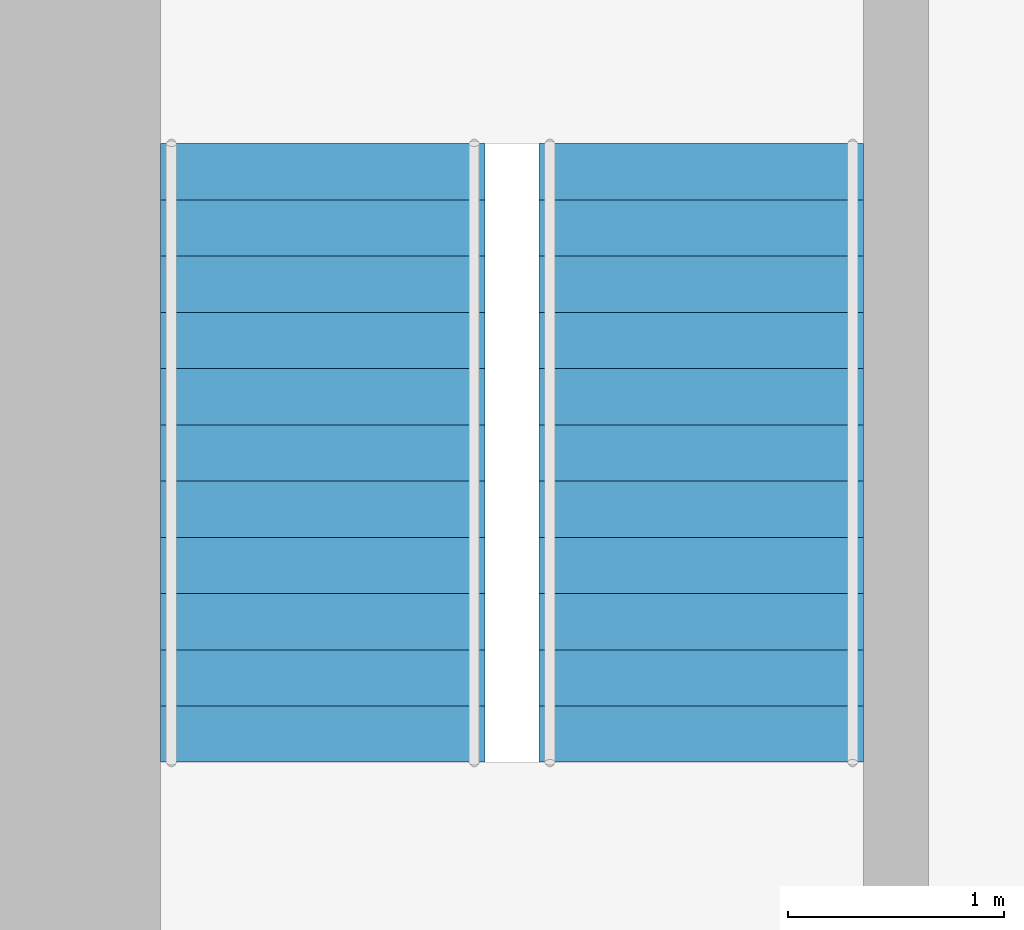
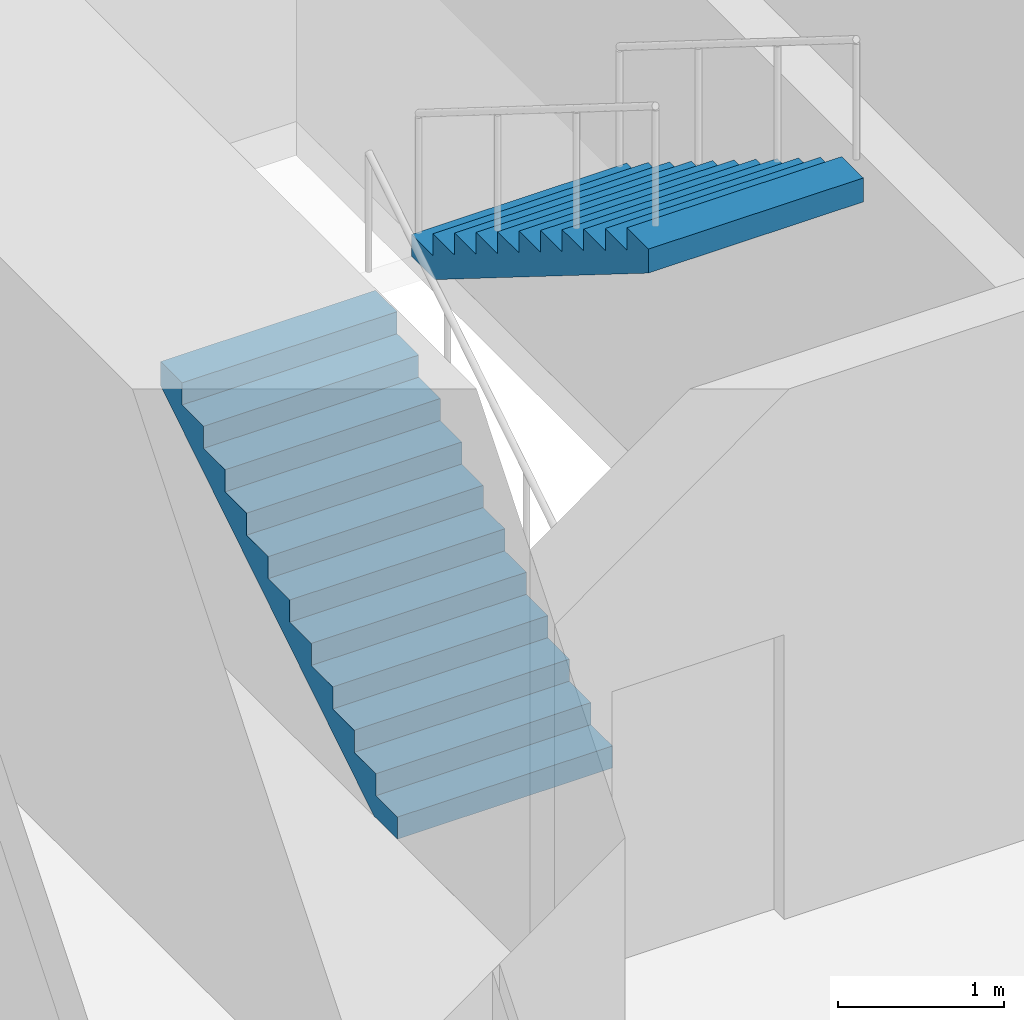
# One storey, part 11 of 12: 2 stair flights, 1 element without a shape of its own.
"""IFC4 building model written with IfcOpenShell, lengths in metres."""

from ifc_helpers import new_model, si_unit, direction, frame, origin, place, context, subcontext, project, spatial, polyline, outline, extrude, material, type_object, element, aggregate, save


model = new_model("IFC4")

# Units and contexts
model_context = context("Model", 3, precision=1e-05, world=origin(), true_north=direction((0.0, 1.0)))
body_context = subcontext(model_context, "Body", "Model", "MODEL_VIEW")
ifc_project = project(units=[si_unit("LENGTHUNIT", "METRE"), si_unit("AREAUNIT", "SQUARE_METRE"), si_unit("VOLUMEUNIT", "CUBIC_METRE"), si_unit("PLANEANGLEUNIT", "RADIAN"), si_unit("MASSUNIT", "GRAM", prefix="KILO")], contexts=[model_context])

# Site, building, storey
site_placement = place(None, origin())
site = spatial("IfcSite", under=ifc_project, at=site_placement, CompositionType="ELEMENT")
building_placement = place(site_placement, origin())
building = spatial("IfcBuilding", under=site, at=building_placement, Name="Highveld Stack Headquarters", CompositionType="ELEMENT")
storey_placement = place(building_placement, frame((0.0, 0.0, 22.10009765625)))
storey = spatial("IfcBuildingStorey", under=building, at=storey_placement, Name="L04", CompositionType="ELEMENT", Elevation=22.10009765625)

# Stair, stair flights
ifc_material_1 = material(Name="Concrete C40/50, precast", Category="concrete")
stair_type = type_object("IfcStairType", Name="STAIR S1 HALF TURN 1500", PredefinedType="HALF_TURN_STAIR", material=ifc_material_1)
stair_placement = place(storey_placement, origin())
stair = element("IfcStair", 1, at=stair_placement, inside=storey, type_object=stair_type, Name="Stair S1 L04", PredefinedType="HALF_TURN_STAIR")
ifc_material_2 = material(Name="Concrete C40/50, precast", Category="concrete")
stair_flight_type = type_object("IfcStairFlightType", Name="STAIR FLIGHT 1500 PRECAST", PredefinedType="STRAIGHT", material=ifc_material_2)
stair_flight_1_placement = place(storey_placement, frame((-4.85009765625, 4.75, 0.0), z_axis=(0.0, 0.0, 1.0), x_axis=(0.0, 1.0, 0.0)))
stair_flight_1 = element("IfcStairFlight", 2, at=stair_flight_1_placement, type_object=stair_flight_type, Name="S1 flight 1", NumberOfRisers=12, NumberOfTreads=11, PredefinedType="STRAIGHT", RiserHeight=0.1625, TreadLength=0.26, context=body_context, shape_type="SweptSolid", body=[
    extrude(outline(polyline([(0.0, 0.0), (0.0, 0.16259765625), (0.260009765625, 0.16259765625), (0.260009765625, 0.324951171875), (0.52001953125, 0.324951171875), (0.52001953125, 0.487548828125), (0.780029296875, 0.487548828125), (0.780029296875, 0.64990234375), (1.0400390625, 0.64990234375), (1.0400390625, 0.8125), (1.300048828125, 0.8125), (1.300048828125, 0.97509765625), (1.56005859375, 0.97509765625), (1.56005859375, 1.137451171875), (1.820068359375, 1.137451171875), (1.820068359375, 1.300048828125), (2.080078125, 1.300048828125), (2.080078125, 1.46240234375), (2.340087890625, 1.46240234375), (2.340087890625, 1.625), (2.60009765625, 1.625), (2.60009765625, 1.78759765625), (2.860107421875, 1.78759765625), (2.860107421875, 1.949951171875), (2.860107421875, 1.61083984375), (0.28271484375, 0.0), (0.0, 0.0)])), frame((0.0, 0.75, 0.0), z_axis=(0.0, -1.0, 0.0), x_axis=(1.0, 0.0, 0.0)), (0.0, 0.0, 1.0), 1.5),
])
stair_flight_2_placement = place(storey_placement, frame((-3.10009765625, 7.610107421875, 1.949951171875), z_axis=(0.0, 0.0, 1.0), x_axis=(0.0, -1.0, 0.0)))
stair_flight_2 = element("IfcStairFlight", 3, at=stair_flight_2_placement, type_object=stair_flight_type, Name="S1 flight 2", NumberOfRisers=12, NumberOfTreads=11, PredefinedType="STRAIGHT", RiserHeight=0.1625, TreadLength=0.26, context=body_context, shape_type="SweptSolid", body=[
    extrude(outline(polyline([(0.0, 0.0), (0.0, 0.16259765625), (0.260009765625, 0.16259765625), (0.260009765625, 0.324951171875), (0.52001953125, 0.324951171875), (0.52001953125, 0.487548828125), (0.780029296875, 0.487548828125), (0.780029296875, 0.64990234375), (1.0400390625, 0.64990234375), (1.0400390625, 0.8125), (1.300048828125, 0.8125), (1.300048828125, 0.97509765625), (1.56005859375, 0.97509765625), (1.56005859375, 1.137451171875), (1.820068359375, 1.137451171875), (1.820068359375, 1.300048828125), (2.080078125, 1.300048828125), (2.080078125, 1.46240234375), (2.340087890625, 1.46240234375), (2.340087890625, 1.625), (2.60009765625, 1.625), (2.60009765625, 1.78759765625), (2.860107421875, 1.78759765625), (2.860107421875, 1.949951171875), (2.860107421875, 1.61083984375), (0.28271484375, 0.0), (0.0, 0.0)])), frame((0.0, 0.75, 0.0), z_axis=(0.0, -1.0, 0.0), x_axis=(1.0, 0.0, 0.0)), (0.0, 0.0, 1.0), 1.5),
])
aggregate(stair, [stair_flight_1, stair_flight_2])

save(model, "model.ifc")
